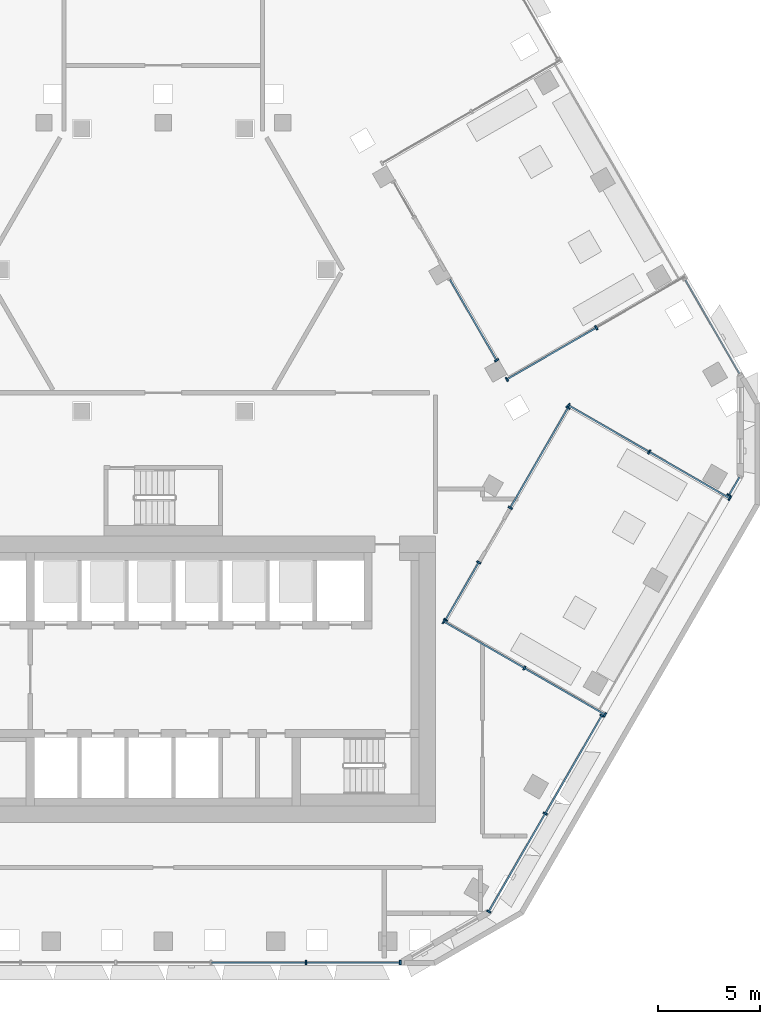
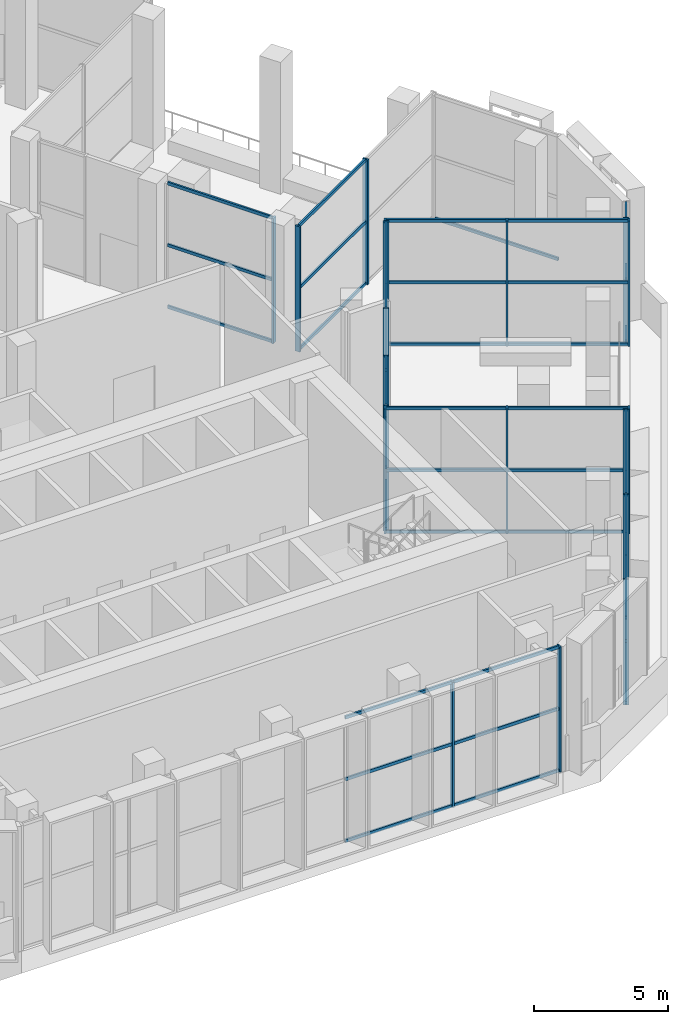
# One storey, part 3 of 27: 59 members, 10 elements without a shape of their own.
"""IFC4 building model written with IfcOpenShell, lengths in metres."""

from ifc_helpers import new_model, si_unit, direction, frame, origin, origin_2d, place, context, subcontext, project, spatial, rectangle, hollow_rectangle, extrude, material, material_profile, profile_set, type_object, element, aggregate, save


model = new_model("IFC4")

# Units and contexts
model_context = context("Model", 3, precision=1e-05, world=origin(), true_north=direction((0.0, 1.0)))
body_context = subcontext(model_context, "Body", "Model", "MODEL_VIEW")
ifc_project = project(units=[si_unit("LENGTHUNIT", "METRE"), si_unit("AREAUNIT", "SQUARE_METRE"), si_unit("VOLUMEUNIT", "CUBIC_METRE"), si_unit("PLANEANGLEUNIT", "RADIAN"), si_unit("MASSUNIT", "GRAM", prefix="KILO")], contexts=[model_context])

# Site, building, storey
site_placement = place(None, origin())
site = spatial("IfcSite", under=ifc_project, at=site_placement, CompositionType="ELEMENT")
building_placement = place(site_placement, origin())
building = spatial("IfcBuilding", under=site, at=building_placement, Name="Beryl Residences", CompositionType="ELEMENT")
storey_placement = place(building_placement, frame((0.0, 0.0, 111.60009765625)))
storey = spatial("IfcBuildingStorey", under=building, at=storey_placement, Name="L34", CompositionType="ELEMENT", Elevation=111.60009765625)

# Curtain wall, members
ifc_material_1 = material(Name="Aluminium and clear glass", Category="aluminium")
curtain_wall_type = type_object("IfcCurtainWallType", Name="CW3 sky garden glazing glazed wall", PredefinedType="NOTDEFINED", material=ifc_material_1)
curtain_wall_1_placement = place(storey_placement, origin())
curtain_wall_1 = element("IfcCurtainWall", 1, at=curtain_wall_1_placement, inside=storey, type_object=curtain_wall_type, Name="CW3 L34 S", PredefinedType="NOTDEFINED")
ifc_material_2 = material(Name="Aluminium", Category="aluminium")
ifc_material_profile_1 = material_profile(ifc_material_2, rectangle(XDim=0.080078125, YDim=0.219970703125, at=origin_2d()))
ifc_profile_set_1 = profile_set([ifc_material_profile_1], Name="Aluminium")
member_type_1 = type_object("IfcMemberType", Name="CW3-M mullion 80 x 220 mm", PredefinedType="MULLION", material=ifc_profile_set_1)
member_1_placement = place(storey_placement, frame((6.97314453125, -25.85009765625, 0.0), z_axis=(0.0, 0.0, 1.0), x_axis=(1.0, 0.0, 0.0)))
member_1 = element("IfcMember", 2, at=member_1_placement, type_object=member_type_1, Name="CW3 mullion 5", PredefinedType="MULLION", context=body_context, shape_type="SweptSolid", body=[
    extrude(rectangle(XDim=0.080078125, YDim=0.219970703125, at=origin_2d()), origin(), (0.0, 0.0, 1.0), 5.699951171875),
])
member_2_placement = place(storey_placement, frame((11.58203125, -25.85009765625, 0.0), z_axis=(0.0, 0.0, 1.0), x_axis=(1.0, 0.0, 0.0)))
member_2 = element("IfcMember", 3, at=member_2_placement, type_object=member_type_1, Name="CW3 mullion 6", PredefinedType="MULLION", context=body_context, shape_type="SweptSolid", body=[
    extrude(rectangle(XDim=0.080078125, YDim=0.219970703125, at=origin_2d()), origin(), (0.0, 0.0, 1.0), 5.699951171875),
])

curtain_wall_2_placement = place(storey_placement, origin())
curtain_wall_2 = element("IfcCurtainWall", 4, at=curtain_wall_2_placement, inside=storey, type_object=curtain_wall_type, Name="CW3 L34 SE", PredefinedType="NOTDEFINED")
member_3_placement = place(storey_placement, frame((15.903076171875, -23.35546875, 0.0), z_axis=(0.0, 0.0, 1.0), x_axis=(0.500020329666, 0.866013666128, 0.0)))
member_3 = element("IfcMember", 5, at=member_3_placement, type_object=member_type_1, Name="CW3 mullion 1", PredefinedType="MULLION", context=body_context, shape_type="SweptSolid", body=[
    extrude(rectangle(XDim=0.080078125, YDim=0.219970703125, at=origin_2d()), origin(), (0.0, 0.0, 1.0), 5.699951171875),
])
member_4_placement = place(storey_placement, frame((18.66796875, -18.56640625, 0.0), z_axis=(0.0, 0.0, 1.0), x_axis=(0.500020329666, 0.866013666128, 0.0)))
member_4 = element("IfcMember", 6, at=member_4_placement, type_object=member_type_1, Name="CW3 mullion 2", PredefinedType="MULLION", context=body_context, shape_type="SweptSolid", body=[
    extrude(rectangle(XDim=0.080078125, YDim=0.219970703125, at=origin_2d()), origin(), (0.0, 0.0, 1.0), 5.699951171875),
])
member_5_placement = place(storey_placement, frame((21.43310546875, -13.777587890625, 0.0), z_axis=(0.0, 0.0, 1.0), x_axis=(0.500020329666, 0.866013666128, 0.0)))
member_5 = element("IfcMember", 7, at=member_5_placement, type_object=member_type_1, Name="CW3 mullion 3", PredefinedType="MULLION", context=body_context, shape_type="SweptSolid", body=[
    extrude(rectangle(XDim=0.080078125, YDim=0.219970703125, at=origin_2d()), origin(), (0.0, 0.0, 1.0), 5.699951171875),
])

# Curtain wall, member
curtain_wall_3_placement = place(storey_placement, origin())
curtain_wall_3 = element("IfcCurtainWall", 8, at=curtain_wall_3_placement, inside=storey, type_object=curtain_wall_type, Name="CW3 L34 SE", PredefinedType="NOTDEFINED")
member_6_placement = place(storey_placement, frame((27.64794921875, -3.012451171875, 0.0), z_axis=(0.0, 0.0, 1.0), x_axis=(0.500102178131, 0.865966403176, 0.0)))
member_6 = element("IfcMember", 9, at=member_6_placement, type_object=member_type_1, Name="CW3 mullion 1", PredefinedType="MULLION", context=body_context, shape_type="SweptSolid", body=[
    extrude(rectangle(XDim=0.080078125, YDim=0.219970703125, at=origin_2d()), origin(), (0.0, 0.0, 1.0), 5.699951171875),
])

curtain_wall_4_placement = place(storey_placement, origin())
curtain_wall_4 = element("IfcCurtainWall", 10, at=curtain_wall_4_placement, inside=storey, type_object=curtain_wall_type, Name="CW3 L34 NE garden back", PredefinedType="NOTDEFINED")
member_7_placement = place(storey_placement, frame((16.2900390625, 3.585693359375, 0.0), z_axis=(0.0, 0.0, 1.0), x_axis=(-0.500142160005, 0.865943312108, 0.0)))
member_7 = element("IfcMember", 11, at=member_7_placement, type_object=member_type_1, Name="CW3 mullion 1", PredefinedType="MULLION", context=body_context, shape_type="SweptSolid", body=[
    extrude(rectangle(XDim=0.080078125, YDim=0.219970703125, at=origin_2d()), origin(), (0.0, 0.0, 1.0), 5.699951171875),
])

# Curtain wall, members
curtain_wall_5_placement = place(storey_placement, origin())
curtain_wall_5 = element("IfcCurtainWall", 12, at=curtain_wall_5_placement, inside=storey, type_object=curtain_wall_type, Name="CW3 L34 NE garden left", PredefinedType="NOTDEFINED")
member_8_placement = place(storey_placement, frame((21.160888671875, 5.173583984375, 0.0), z_axis=(0.0, 0.0, 1.0), x_axis=(-0.866051386658, -0.499954993642, 0.0)))
member_8 = element("IfcMember", 13, at=member_8_placement, type_object=member_type_1, Name="CW3 mullion 2", PredefinedType="MULLION", context=body_context, shape_type="SweptSolid", body=[
    extrude(rectangle(XDim=0.080078125, YDim=0.219970703125, at=origin_2d()), origin(), (0.0, 0.0, 1.0), 5.699951171875),
])
member_9_placement = place(storey_placement, frame((16.78955078125, 2.64990234375, 0.0), z_axis=(0.0, 0.0, 1.0), x_axis=(-0.866051386658, -0.499954993642, 0.0)))
member_9 = element("IfcMember", 14, at=member_9_placement, type_object=member_type_1, Name="CW3 mullion 3", PredefinedType="MULLION", context=body_context, shape_type="SweptSolid", body=[
    extrude(rectangle(XDim=0.080078125, YDim=0.219970703125, at=origin_2d()), origin(), (0.0, 0.0, 1.0), 5.699951171875),
])

curtain_wall_6_placement = place(storey_placement, origin())
curtain_wall_6 = element("IfcCurtainWall", 15, at=curtain_wall_6_placement, inside=storey, type_object=curtain_wall_type, Name="CW3 L34 SE garden back", PredefinedType="NOTDEFINED")
member_10_placement = place(storey_placement, frame((13.796875, -9.103271484375, 0.0), z_axis=(0.0, 0.0, 1.0), x_axis=(0.499826590019, 0.866125498938, 0.0)))
member_10 = element("IfcMember", 16, at=member_10_placement, type_object=member_type_1, Name="CW3 mullion 1", PredefinedType="MULLION", context=body_context, shape_type="SweptSolid", body=[
    extrude(rectangle(XDim=0.080078125, YDim=0.219970703125, at=origin_2d()), origin(), (0.0, 0.0, 1.0), 5.699951171875),
])
member_11_placement = place(storey_placement, frame((15.4189453125, -6.292724609375, 0.0), z_axis=(0.0, 0.0, 1.0), x_axis=(0.499826590019, 0.866125498938, 0.0)))
member_11 = element("IfcMember", 17, at=member_11_placement, type_object=member_type_1, Name="CW3 mullion 2", PredefinedType="MULLION", context=body_context, shape_type="SweptSolid", body=[
    extrude(rectangle(XDim=0.080078125, YDim=0.219970703125, at=origin_2d()), origin(), (0.0, 0.0, 1.0), 5.699951171875),
])

curtain_wall_7_placement = place(storey_placement, origin())
curtain_wall_7 = element("IfcCurtainWall", 18, at=curtain_wall_7_placement, inside=storey, type_object=curtain_wall_type, Name="CW3 L34 SE garden back", PredefinedType="NOTDEFINED")
member_12_placement = place(storey_placement, frame((16.958984375, -3.625244140625, 0.0), z_axis=(0.0, 0.0, 1.0), x_axis=(0.500065152722, 0.865987784575, 0.0)))
member_12 = element("IfcMember", 19, at=member_12_placement, type_object=member_type_1, Name="CW3 mullion 1", PredefinedType="MULLION", context=body_context, shape_type="SweptSolid", body=[
    extrude(rectangle(XDim=0.080078125, YDim=0.219970703125, at=origin_2d()), origin(), (0.0, 0.0, 1.0), 5.699951171875),
])
member_13_placement = place(storey_placement, frame((19.781982421875, 1.263427734375, 0.0), z_axis=(0.0, 0.0, 1.0), x_axis=(0.500065152722, 0.865987784575, 0.0)))
member_13 = element("IfcMember", 20, at=member_13_placement, type_object=member_type_1, Name="CW3 mullion 2", PredefinedType="MULLION", context=body_context, shape_type="SweptSolid", body=[
    extrude(rectangle(XDim=0.080078125, YDim=0.219970703125, at=origin_2d()), origin(), (0.0, 0.0, 1.0), 5.699951171875),
])

curtain_wall_8_placement = place(storey_placement, origin())
curtain_wall_8 = element("IfcCurtainWall", 21, at=curtain_wall_8_placement, inside=storey, type_object=curtain_wall_type, Name="CW3 L34 SE garden left", PredefinedType="NOTDEFINED")
member_14_placement = place(storey_placement, frame((21.58544921875, -13.73291015625, 0.0), z_axis=(0.0, 0.0, 1.0), x_axis=(-0.866007717298, 0.500030632642, 0.0)))
member_14 = element("IfcMember", 22, at=member_14_placement, type_object=member_type_1, Name="CW3 mullion 1", PredefinedType="MULLION", context=body_context, shape_type="SweptSolid", body=[
    extrude(rectangle(XDim=0.080078125, YDim=0.219970703125, at=origin_2d()), origin(), (0.0, 0.0, 1.0), 5.699951171875),
])
member_15_placement = place(storey_placement, frame((17.64697265625, -11.458984375, 0.0), z_axis=(0.0, 0.0, 1.0), x_axis=(-0.866007717298, 0.500030632642, 0.0)))
member_15 = element("IfcMember", 23, at=member_15_placement, type_object=member_type_1, Name="CW3 mullion 2", PredefinedType="MULLION", context=body_context, shape_type="SweptSolid", body=[
    extrude(rectangle(XDim=0.080078125, YDim=0.219970703125, at=origin_2d()), origin(), (0.0, 0.0, 1.0), 5.699951171875),
])
member_16_placement = place(storey_placement, frame((13.708740234375, -9.18505859375, 0.0), z_axis=(0.0, 0.0, 1.0), x_axis=(-0.866007717298, 0.500030632642, 0.0)))
member_16 = element("IfcMember", 24, at=member_16_placement, type_object=member_type_1, Name="CW3 mullion 3", PredefinedType="MULLION", context=body_context, shape_type="SweptSolid", body=[
    extrude(rectangle(XDim=0.080078125, YDim=0.219970703125, at=origin_2d()), origin(), (0.0, 0.0, 1.0), 5.699951171875),
])

curtain_wall_9_placement = place(storey_placement, origin())
curtain_wall_9 = element("IfcCurtainWall", 25, at=curtain_wall_9_placement, inside=storey, type_object=curtain_wall_type, Name="CW3 L34 SE garden right", PredefinedType="NOTDEFINED")
member_17_placement = place(storey_placement, frame((27.685302734375, -3.1669921875, 0.0), z_axis=(0.0, 0.0, 1.0), x_axis=(-0.866054910532, 0.499948889332, 0.0)))
member_17 = element("IfcMember", 26, at=member_17_placement, type_object=member_type_1, Name="CW3 mullion 1", PredefinedType="MULLION", context=body_context, shape_type="SweptSolid", body=[
    extrude(rectangle(XDim=0.080078125, YDim=0.219970703125, at=origin_2d()), origin(), (0.0, 0.0, 1.0), 5.699951171875),
])
member_18_placement = place(storey_placement, frame((23.7470703125, -0.8935546875, 0.0), z_axis=(0.0, 0.0, 1.0), x_axis=(-0.866054910532, 0.499948889332, 0.0)))
member_18 = element("IfcMember", 27, at=member_18_placement, type_object=member_type_1, Name="CW3 mullion 2", PredefinedType="MULLION", context=body_context, shape_type="SweptSolid", body=[
    extrude(rectangle(XDim=0.080078125, YDim=0.219970703125, at=origin_2d()), origin(), (0.0, 0.0, 1.0), 5.699951171875),
])
member_19_placement = place(storey_placement, frame((19.80859375, 1.3798828125, 0.0), z_axis=(0.0, 0.0, 1.0), x_axis=(-0.866054910532, 0.499948889332, 0.0)))
member_19 = element("IfcMember", 28, at=member_19_placement, type_object=member_type_1, Name="CW3 mullion 3", PredefinedType="MULLION", context=body_context, shape_type="SweptSolid", body=[
    extrude(rectangle(XDim=0.080078125, YDim=0.219970703125, at=origin_2d()), origin(), (0.0, 0.0, 1.0), 5.699951171875),
])

# Member
ifc_material_3 = material(Name="Aluminium", Category="aluminium")
ifc_material_profile_2 = material_profile(ifc_material_3, hollow_rectangle(XDim=0.080078125, YDim=0.139892578125, WallThickness=0.00390625, at=origin_2d()))
ifc_profile_set_2 = profile_set([ifc_material_profile_2], Name="Aluminium")
member_type_2 = type_object("IfcMemberType", Name="CW3-T transom 80 x 140 mm", PredefinedType="USERDEFINED", material=ifc_profile_set_2)
member_20_placement = place(storey_placement, frame((2.364501953125, -25.85009765625, 0.039794921875), z_axis=(1.0, 0.0, 0.0), x_axis=(0.0, 1.0, 0.0)))
member_20 = element("IfcMember", 29, at=member_20_placement, type_object=member_type_2, Name="CW3 transom 4.1", ObjectType="TRANSOM", PredefinedType="USERDEFINED", context=body_context, shape_type="SweptSolid", body=[
    extrude(hollow_rectangle(XDim=0.080078125, YDim=0.139892578125, WallThickness=0.00390625, at=origin_2d()), origin(), (0.0, 0.0, 1.0), 4.568603515625),
])

member_21_placement = place(storey_placement, frame((2.364501953125, -25.85009765625, 2.849853515625), z_axis=(1.0, 0.0, 0.0), x_axis=(0.0, 1.0, 0.0)))
member_21 = element("IfcMember", 30, at=member_21_placement, type_object=member_type_2, Name="CW3 transom 4.2", ObjectType="TRANSOM", PredefinedType="USERDEFINED", context=body_context, shape_type="SweptSolid", body=[
    extrude(hollow_rectangle(XDim=0.080078125, YDim=0.139892578125, WallThickness=0.00390625, at=origin_2d()), origin(), (0.0, 0.0, 1.0), 4.568603515625),
])

member_22_placement = place(storey_placement, frame((2.364501953125, -25.85009765625, 5.659912109375), z_axis=(1.0, 0.0, 0.0), x_axis=(0.0, 1.0, 0.0)))
member_22 = element("IfcMember", 31, at=member_22_placement, type_object=member_type_2, Name="CW3 transom 4.3", ObjectType="TRANSOM", PredefinedType="USERDEFINED", context=body_context, shape_type="SweptSolid", body=[
    extrude(hollow_rectangle(XDim=0.080078125, YDim=0.139892578125, WallThickness=0.00390625, at=origin_2d()), origin(), (0.0, 0.0, 1.0), 4.568603515625),
])

member_23_placement = place(storey_placement, frame((7.01318359375, -25.85009765625, 0.039794921875), z_axis=(1.0, 0.0, 0.0), x_axis=(0.0, 1.0, 0.0)))
member_23 = element("IfcMember", 32, at=member_23_placement, type_object=member_type_2, Name="CW3 transom 5.1", ObjectType="TRANSOM", PredefinedType="USERDEFINED", context=body_context, shape_type="SweptSolid", body=[
    extrude(hollow_rectangle(XDim=0.080078125, YDim=0.139892578125, WallThickness=0.00390625, at=origin_2d()), origin(), (0.0, 0.0, 1.0), 4.52880859375),
])

member_24_placement = place(storey_placement, frame((7.01318359375, -25.85009765625, 2.849853515625), z_axis=(1.0, 0.0, 0.0), x_axis=(0.0, 1.0, 0.0)))
member_24 = element("IfcMember", 33, at=member_24_placement, type_object=member_type_2, Name="CW3 transom 5.2", ObjectType="TRANSOM", PredefinedType="USERDEFINED", context=body_context, shape_type="SweptSolid", body=[
    extrude(hollow_rectangle(XDim=0.080078125, YDim=0.139892578125, WallThickness=0.00390625, at=origin_2d()), origin(), (0.0, 0.0, 1.0), 4.52880859375),
])

member_25_placement = place(storey_placement, frame((7.01318359375, -25.85009765625, 5.659912109375), z_axis=(1.0, 0.0, 0.0), x_axis=(0.0, 1.0, 0.0)))
member_25 = element("IfcMember", 34, at=member_25_placement, type_object=member_type_2, Name="CW3 transom 5.3", ObjectType="TRANSOM", PredefinedType="USERDEFINED", context=body_context, shape_type="SweptSolid", body=[
    extrude(hollow_rectangle(XDim=0.080078125, YDim=0.139892578125, WallThickness=0.00390625, at=origin_2d()), origin(), (0.0, 0.0, 1.0), 4.52880859375),
])

aggregate(curtain_wall_1, [member_1, member_2, member_20, member_21, member_22, member_23, member_24, member_25])

member_26_placement = place(storey_placement, frame((15.923095703125, -23.32080078125, 0.039794921875), z_axis=(0.499988730927, 0.866031909889, 0.0), x_axis=(-0.866031909889, 0.499988730927, 0.0)))
member_26 = element("IfcMember", 35, at=member_26_placement, type_object=member_type_2, Name="CW3 transom 1.1", ObjectType="TRANSOM", PredefinedType="USERDEFINED", context=body_context, shape_type="SweptSolid", body=[
    extrude(hollow_rectangle(XDim=0.080078125, YDim=0.139892578125, WallThickness=0.00390625, at=origin_2d()), origin(), (0.0, 0.0, 1.0), 5.449951171875),
])

member_27_placement = place(storey_placement, frame((15.923095703125, -23.32080078125, 2.849853515625), z_axis=(0.499988730927, 0.866031909889, 0.0), x_axis=(-0.866031909889, 0.499988730927, 0.0)))
member_27 = element("IfcMember", 36, at=member_27_placement, type_object=member_type_2, Name="CW3 transom 1.2", ObjectType="TRANSOM", PredefinedType="USERDEFINED", context=body_context, shape_type="SweptSolid", body=[
    extrude(hollow_rectangle(XDim=0.080078125, YDim=0.139892578125, WallThickness=0.00390625, at=origin_2d()), origin(), (0.0, 0.0, 1.0), 5.449951171875),
])

member_28_placement = place(storey_placement, frame((15.923095703125, -23.32080078125, 5.659912109375), z_axis=(0.499988730927, 0.866031909889, 0.0), x_axis=(-0.866031909889, 0.499988730927, 0.0)))
member_28 = element("IfcMember", 37, at=member_28_placement, type_object=member_type_2, Name="CW3 transom 1.3", ObjectType="TRANSOM", PredefinedType="USERDEFINED", context=body_context, shape_type="SweptSolid", body=[
    extrude(hollow_rectangle(XDim=0.080078125, YDim=0.139892578125, WallThickness=0.00390625, at=origin_2d()), origin(), (0.0, 0.0, 1.0), 5.449951171875),
])

member_29_placement = place(storey_placement, frame((18.68798828125, -18.53173828125, 0.039794921875), z_axis=(0.500041727491, 0.866001311066, 0.0), x_axis=(-0.866001311066, 0.500041727491, 0.0)))
member_29 = element("IfcMember", 38, at=member_29_placement, type_object=member_type_2, Name="CW3 transom 2.1", ObjectType="TRANSOM", PredefinedType="USERDEFINED", context=body_context, shape_type="SweptSolid", body=[
    extrude(hollow_rectangle(XDim=0.080078125, YDim=0.139892578125, WallThickness=0.00390625, at=origin_2d()), origin(), (0.0, 0.0, 1.0), 5.44970703125),
])

member_30_placement = place(storey_placement, frame((18.68798828125, -18.53173828125, 2.849853515625), z_axis=(0.500041727491, 0.866001311066, 0.0), x_axis=(-0.866001311066, 0.500041727491, 0.0)))
member_30 = element("IfcMember", 39, at=member_30_placement, type_object=member_type_2, Name="CW3 transom 2.2", ObjectType="TRANSOM", PredefinedType="USERDEFINED", context=body_context, shape_type="SweptSolid", body=[
    extrude(hollow_rectangle(XDim=0.080078125, YDim=0.139892578125, WallThickness=0.00390625, at=origin_2d()), origin(), (0.0, 0.0, 1.0), 5.44970703125),
])

member_31_placement = place(storey_placement, frame((18.68798828125, -18.53173828125, 5.659912109375), z_axis=(0.500041727491, 0.866001311066, 0.0), x_axis=(-0.866001311066, 0.500041727491, 0.0)))
member_31 = element("IfcMember", 40, at=member_31_placement, type_object=member_type_2, Name="CW3 transom 2.3", ObjectType="TRANSOM", PredefinedType="USERDEFINED", context=body_context, shape_type="SweptSolid", body=[
    extrude(hollow_rectangle(XDim=0.080078125, YDim=0.139892578125, WallThickness=0.00390625, at=origin_2d()), origin(), (0.0, 0.0, 1.0), 5.44970703125),
])

aggregate(curtain_wall_2, [member_3, member_4, member_5, member_26, member_27, member_28, member_29, member_30, member_31])

member_32_placement = place(storey_placement, frame((27.66796875, -2.977783203125, 0.039794921875), z_axis=(0.500132281504, 0.865949017551, 0.0), x_axis=(-0.865949017551, 0.500132281504, 0.0)))
member_32 = element("IfcMember", 41, at=member_32_placement, type_object=member_type_2, Name="CW3 transom 1.1", ObjectType="TRANSOM", PredefinedType="USERDEFINED", context=body_context, shape_type="SweptSolid", body=[
    extrude(hollow_rectangle(XDim=0.080078125, YDim=0.139892578125, WallThickness=0.00390625, at=origin_2d()), origin(), (0.0, 0.0, 1.0), 0.979736328125),
])

member_33_placement = place(storey_placement, frame((27.66796875, -2.977783203125, 2.849853515625), z_axis=(0.500132281504, 0.865949017551, 0.0), x_axis=(-0.865949017551, 0.500132281504, 0.0)))
member_33 = element("IfcMember", 42, at=member_33_placement, type_object=member_type_2, Name="CW3 transom 1.2", ObjectType="TRANSOM", PredefinedType="USERDEFINED", context=body_context, shape_type="SweptSolid", body=[
    extrude(hollow_rectangle(XDim=0.080078125, YDim=0.139892578125, WallThickness=0.00390625, at=origin_2d()), origin(), (0.0, 0.0, 1.0), 0.979736328125),
])

member_34_placement = place(storey_placement, frame((27.66796875, -2.977783203125, 5.659912109375), z_axis=(0.500132281504, 0.865949017551, 0.0), x_axis=(-0.865949017551, 0.500132281504, 0.0)))
member_34 = element("IfcMember", 43, at=member_34_placement, type_object=member_type_2, Name="CW3 transom 1.3", ObjectType="TRANSOM", PredefinedType="USERDEFINED", context=body_context, shape_type="SweptSolid", body=[
    extrude(hollow_rectangle(XDim=0.080078125, YDim=0.139892578125, WallThickness=0.00390625, at=origin_2d()), origin(), (0.0, 0.0, 1.0), 0.979736328125),
])

aggregate(curtain_wall_3, [member_6, member_32, member_33, member_34])

# Curtain wall, member
curtain_wall_10_placement = place(storey_placement, origin())
curtain_wall_10 = element("IfcCurtainWall", 44, at=curtain_wall_10_placement, inside=storey, type_object=curtain_wall_type, Name="CW3 L34 NE", PredefinedType="NOTDEFINED")
member_35_placement = place(storey_placement, frame((28.157958984375, 2.92919921875, 0.039794921875), z_axis=(-0.4999436497, 0.866057935201, 0.0), x_axis=(-0.866057935201, -0.4999436497, 0.0)))
member_35 = element("IfcMember", 45, at=member_35_placement, type_object=member_type_2, Name="CW3 transom 1.1", ObjectType="TRANSOM", PredefinedType="USERDEFINED", context=body_context, shape_type="SweptSolid", body=[
    extrude(hollow_rectangle(XDim=0.080078125, YDim=0.139892578125, WallThickness=0.00390625, at=origin_2d()), origin(), (0.0, 0.0, 1.0), 5.28662109375),
])
aggregate(curtain_wall_10, [member_35])

# Member
member_36_placement = place(storey_placement, frame((16.27001953125, 3.620361328125, 0.039794921875), z_axis=(-0.500157766878, 0.865934297872, 0.0), x_axis=(-0.865934297872, -0.500157766878, 0.0)))
member_36 = element("IfcMember", 46, at=member_36_placement, type_object=member_type_2, Name="CW3 transom 1.1", ObjectType="TRANSOM", PredefinedType="USERDEFINED", context=body_context, shape_type="SweptSolid", body=[
    extrude(hollow_rectangle(XDim=0.080078125, YDim=0.139892578125, WallThickness=0.00390625, at=origin_2d()), origin(), (0.0, 0.0, 1.0), 4.5146484375),
])

member_37_placement = place(storey_placement, frame((16.27001953125, 3.620361328125, 2.849853515625), z_axis=(-0.500157766878, 0.865934297872, 0.0), x_axis=(-0.865934297872, -0.500157766878, 0.0)))
member_37 = element("IfcMember", 47, at=member_37_placement, type_object=member_type_2, Name="CW3 transom 1.2", ObjectType="TRANSOM", PredefinedType="USERDEFINED", context=body_context, shape_type="SweptSolid", body=[
    extrude(hollow_rectangle(XDim=0.080078125, YDim=0.139892578125, WallThickness=0.00390625, at=origin_2d()), origin(), (0.0, 0.0, 1.0), 4.5146484375),
])

member_38_placement = place(storey_placement, frame((16.27001953125, 3.620361328125, 5.659912109375), z_axis=(-0.500157766878, 0.865934297872, 0.0), x_axis=(-0.865934297872, -0.500157766878, 0.0)))
member_38 = element("IfcMember", 48, at=member_38_placement, type_object=member_type_2, Name="CW3 transom 1.3", ObjectType="TRANSOM", PredefinedType="USERDEFINED", context=body_context, shape_type="SweptSolid", body=[
    extrude(hollow_rectangle(XDim=0.080078125, YDim=0.139892578125, WallThickness=0.00390625, at=origin_2d()), origin(), (0.0, 0.0, 1.0), 4.5146484375),
])

aggregate(curtain_wall_4, [member_7, member_36, member_37, member_38])

member_39_placement = place(storey_placement, frame((21.12646484375, 5.153564453125, 0.039794921875), z_axis=(-0.86604809764, -0.499960691028, 0.0), x_axis=(0.499960691028, -0.86604809764, 0.0)))
member_39 = element("IfcMember", 49, at=member_39_placement, type_object=member_type_2, Name="CW3 transom 2.1", ObjectType="TRANSOM", PredefinedType="USERDEFINED", context=body_context, shape_type="SweptSolid", body=[
    extrude(hollow_rectangle(XDim=0.080078125, YDim=0.139892578125, WallThickness=0.00390625, at=origin_2d()), origin(), (0.0, 0.0, 1.0), 4.9677734375),
])

member_40_placement = place(storey_placement, frame((21.12646484375, 5.153564453125, 2.849853515625), z_axis=(-0.86604809764, -0.499960691028, 0.0), x_axis=(0.499960691028, -0.86604809764, 0.0)))
member_40 = element("IfcMember", 50, at=member_40_placement, type_object=member_type_2, Name="CW3 transom 2.2", ObjectType="TRANSOM", PredefinedType="USERDEFINED", context=body_context, shape_type="SweptSolid", body=[
    extrude(hollow_rectangle(XDim=0.080078125, YDim=0.139892578125, WallThickness=0.00390625, at=origin_2d()), origin(), (0.0, 0.0, 1.0), 4.9677734375),
])

member_41_placement = place(storey_placement, frame((21.12646484375, 5.153564453125, 5.659912109375), z_axis=(-0.86604809764, -0.499960691028, 0.0), x_axis=(0.499960691028, -0.86604809764, 0.0)))
member_41 = element("IfcMember", 51, at=member_41_placement, type_object=member_type_2, Name="CW3 transom 2.3", ObjectType="TRANSOM", PredefinedType="USERDEFINED", context=body_context, shape_type="SweptSolid", body=[
    extrude(hollow_rectangle(XDim=0.080078125, YDim=0.139892578125, WallThickness=0.00390625, at=origin_2d()), origin(), (0.0, 0.0, 1.0), 4.9677734375),
])

aggregate(curtain_wall_5, [member_8, member_9, member_39, member_40, member_41])

member_42_placement = place(storey_placement, frame((13.81689453125, -9.068603515625, 0.039794921875), z_axis=(0.49985600549, 0.866108523094, 0.0), x_axis=(-0.866108523094, 0.49985600549, 0.0)))
member_42 = element("IfcMember", 52, at=member_42_placement, type_object=member_type_2, Name="CW3 transom 1.1", ObjectType="TRANSOM", PredefinedType="USERDEFINED", context=body_context, shape_type="SweptSolid", body=[
    extrude(hollow_rectangle(XDim=0.080078125, YDim=0.139892578125, WallThickness=0.00390625, at=origin_2d()), origin(), (0.0, 0.0, 1.0), 3.1650390625),
])

member_43_placement = place(storey_placement, frame((13.81689453125, -9.068603515625, 2.849853515625), z_axis=(0.49985600549, 0.866108523094, 0.0), x_axis=(-0.866108523094, 0.49985600549, 0.0)))
member_43 = element("IfcMember", 53, at=member_43_placement, type_object=member_type_2, Name="CW3 transom 1.2", ObjectType="TRANSOM", PredefinedType="USERDEFINED", context=body_context, shape_type="SweptSolid", body=[
    extrude(hollow_rectangle(XDim=0.080078125, YDim=0.139892578125, WallThickness=0.00390625, at=origin_2d()), origin(), (0.0, 0.0, 1.0), 3.1650390625),
])

member_44_placement = place(storey_placement, frame((13.81689453125, -9.068603515625, 5.659912109375), z_axis=(0.49985600549, 0.866108523094, 0.0), x_axis=(-0.866108523094, 0.49985600549, 0.0)))
member_44 = element("IfcMember", 54, at=member_44_placement, type_object=member_type_2, Name="CW3 transom 1.3", ObjectType="TRANSOM", PredefinedType="USERDEFINED", context=body_context, shape_type="SweptSolid", body=[
    extrude(hollow_rectangle(XDim=0.080078125, YDim=0.139892578125, WallThickness=0.00390625, at=origin_2d()), origin(), (0.0, 0.0, 1.0), 3.1650390625),
])

aggregate(curtain_wall_6, [member_10, member_11, member_42, member_43, member_44])

member_45_placement = place(storey_placement, frame((16.97900390625, -3.5908203125, 0.039794921875), z_axis=(0.500050282832, 0.865996371031, 0.0), x_axis=(-0.865996371031, 0.500050282832, 0.0)))
member_45 = element("IfcMember", 55, at=member_45_placement, type_object=member_type_2, Name="CW3 transom 1.1", ObjectType="TRANSOM", PredefinedType="USERDEFINED", context=body_context, shape_type="SweptSolid", body=[
    extrude(hollow_rectangle(XDim=0.080078125, YDim=0.139892578125, WallThickness=0.00390625, at=origin_2d()), origin(), (0.0, 0.0, 1.0), 5.5654296875),
])

member_46_placement = place(storey_placement, frame((16.97900390625, -3.5908203125, 2.849853515625), z_axis=(0.500050282832, 0.865996371031, 0.0), x_axis=(-0.865996371031, 0.500050282832, 0.0)))
member_46 = element("IfcMember", 56, at=member_46_placement, type_object=member_type_2, Name="CW3 transom 1.2", ObjectType="TRANSOM", PredefinedType="USERDEFINED", context=body_context, shape_type="SweptSolid", body=[
    extrude(hollow_rectangle(XDim=0.080078125, YDim=0.139892578125, WallThickness=0.00390625, at=origin_2d()), origin(), (0.0, 0.0, 1.0), 5.5654296875),
])

member_47_placement = place(storey_placement, frame((16.97900390625, -3.5908203125, 5.659912109375), z_axis=(0.500050282832, 0.865996371031, 0.0), x_axis=(-0.865996371031, 0.500050282832, 0.0)))
member_47 = element("IfcMember", 57, at=member_47_placement, type_object=member_type_2, Name="CW3 transom 1.3", ObjectType="TRANSOM", PredefinedType="USERDEFINED", context=body_context, shape_type="SweptSolid", body=[
    extrude(hollow_rectangle(XDim=0.080078125, YDim=0.139892578125, WallThickness=0.00390625, at=origin_2d()), origin(), (0.0, 0.0, 1.0), 5.5654296875),
])

aggregate(curtain_wall_7, [member_12, member_13, member_45, member_46, member_47])

member_48_placement = place(storey_placement, frame((21.55078125, -13.712890625, 0.039794921875), z_axis=(-0.866021785011, 0.500006267848, 0.0), x_axis=(-0.500006267848, -0.866021785011, 0.0)))
member_48 = element("IfcMember", 58, at=member_48_placement, type_object=member_type_2, Name="CW3 transom 1.1", ObjectType="TRANSOM", PredefinedType="USERDEFINED", context=body_context, shape_type="SweptSolid", body=[
    extrude(hollow_rectangle(XDim=0.080078125, YDim=0.139892578125, WallThickness=0.00390625, at=origin_2d()), origin(), (0.0, 0.0, 1.0), 4.4677734375),
])

member_49_placement = place(storey_placement, frame((21.55078125, -13.712890625, 2.849853515625), z_axis=(-0.866021785011, 0.500006267848, 0.0), x_axis=(-0.500006267848, -0.866021785011, 0.0)))
member_49 = element("IfcMember", 59, at=member_49_placement, type_object=member_type_2, Name="CW3 transom 1.2", ObjectType="TRANSOM", PredefinedType="USERDEFINED", context=body_context, shape_type="SweptSolid", body=[
    extrude(hollow_rectangle(XDim=0.080078125, YDim=0.139892578125, WallThickness=0.00390625, at=origin_2d()), origin(), (0.0, 0.0, 1.0), 4.4677734375),
])

member_50_placement = place(storey_placement, frame((21.55078125, -13.712890625, 5.659912109375), z_axis=(-0.866021785011, 0.500006267848, 0.0), x_axis=(-0.500006267848, -0.866021785011, 0.0)))
member_50 = element("IfcMember", 60, at=member_50_placement, type_object=member_type_2, Name="CW3 transom 1.3", ObjectType="TRANSOM", PredefinedType="USERDEFINED", context=body_context, shape_type="SweptSolid", body=[
    extrude(hollow_rectangle(XDim=0.080078125, YDim=0.139892578125, WallThickness=0.00390625, at=origin_2d()), origin(), (0.0, 0.0, 1.0), 4.4677734375),
])

member_51_placement = place(storey_placement, frame((17.6123046875, -11.43896484375, 0.039794921875), z_axis=(-0.866021785011, 0.500006267848, 0.0), x_axis=(-0.500006267848, -0.866021785011, 0.0)))
member_51 = element("IfcMember", 61, at=member_51_placement, type_object=member_type_2, Name="CW3 transom 2.1", ObjectType="TRANSOM", PredefinedType="USERDEFINED", context=body_context, shape_type="SweptSolid", body=[
    extrude(hollow_rectangle(XDim=0.080078125, YDim=0.139892578125, WallThickness=0.00390625, at=origin_2d()), origin(), (0.0, 0.0, 1.0), 4.4677734375),
])

member_52_placement = place(storey_placement, frame((17.6123046875, -11.43896484375, 2.849853515625), z_axis=(-0.866021785011, 0.500006267848, 0.0), x_axis=(-0.500006267848, -0.866021785011, 0.0)))
member_52 = element("IfcMember", 62, at=member_52_placement, type_object=member_type_2, Name="CW3 transom 2.2", ObjectType="TRANSOM", PredefinedType="USERDEFINED", context=body_context, shape_type="SweptSolid", body=[
    extrude(hollow_rectangle(XDim=0.080078125, YDim=0.139892578125, WallThickness=0.00390625, at=origin_2d()), origin(), (0.0, 0.0, 1.0), 4.4677734375),
])

member_53_placement = place(storey_placement, frame((17.6123046875, -11.43896484375, 5.659912109375), z_axis=(-0.866021785011, 0.500006267848, 0.0), x_axis=(-0.500006267848, -0.866021785011, 0.0)))
member_53 = element("IfcMember", 63, at=member_53_placement, type_object=member_type_2, Name="CW3 transom 2.3", ObjectType="TRANSOM", PredefinedType="USERDEFINED", context=body_context, shape_type="SweptSolid", body=[
    extrude(hollow_rectangle(XDim=0.080078125, YDim=0.139892578125, WallThickness=0.00390625, at=origin_2d()), origin(), (0.0, 0.0, 1.0), 4.4677734375),
])

aggregate(curtain_wall_8, [member_14, member_15, member_16, member_48, member_49, member_50, member_51, member_52, member_53])

member_54_placement = place(storey_placement, frame((27.650634765625, -3.14697265625, 0.039794921875), z_axis=(-0.866055449546, 0.499947955603, 0.0), x_axis=(-0.499947955603, -0.866055449546, 0.0)))
member_54 = element("IfcMember", 64, at=member_54_placement, type_object=member_type_2, Name="CW3 transom 1.1", ObjectType="TRANSOM", PredefinedType="USERDEFINED", context=body_context, shape_type="SweptSolid", body=[
    extrude(hollow_rectangle(XDim=0.080078125, YDim=0.139892578125, WallThickness=0.00390625, at=origin_2d()), origin(), (0.0, 0.0, 1.0), 4.46728515625),
])

member_55_placement = place(storey_placement, frame((27.650634765625, -3.14697265625, 2.849853515625), z_axis=(-0.866055449546, 0.499947955603, 0.0), x_axis=(-0.499947955603, -0.866055449546, 0.0)))
member_55 = element("IfcMember", 65, at=member_55_placement, type_object=member_type_2, Name="CW3 transom 1.2", ObjectType="TRANSOM", PredefinedType="USERDEFINED", context=body_context, shape_type="SweptSolid", body=[
    extrude(hollow_rectangle(XDim=0.080078125, YDim=0.139892578125, WallThickness=0.00390625, at=origin_2d()), origin(), (0.0, 0.0, 1.0), 4.46728515625),
])

member_56_placement = place(storey_placement, frame((27.650634765625, -3.14697265625, 5.659912109375), z_axis=(-0.866055449546, 0.499947955603, 0.0), x_axis=(-0.499947955603, -0.866055449546, 0.0)))
member_56 = element("IfcMember", 66, at=member_56_placement, type_object=member_type_2, Name="CW3 transom 1.3", ObjectType="TRANSOM", PredefinedType="USERDEFINED", context=body_context, shape_type="SweptSolid", body=[
    extrude(hollow_rectangle(XDim=0.080078125, YDim=0.139892578125, WallThickness=0.00390625, at=origin_2d()), origin(), (0.0, 0.0, 1.0), 4.46728515625),
])

member_57_placement = place(storey_placement, frame((23.71240234375, -0.87353515625, 0.039794921875), z_axis=(-0.866045447078, 0.49996528239, 0.0), x_axis=(-0.49996528239, -0.866045447078, 0.0)))
member_57 = element("IfcMember", 67, at=member_57_placement, type_object=member_type_2, Name="CW3 transom 2.1", ObjectType="TRANSOM", PredefinedType="USERDEFINED", context=body_context, shape_type="SweptSolid", body=[
    extrude(hollow_rectangle(XDim=0.080078125, YDim=0.139892578125, WallThickness=0.00390625, at=origin_2d()), origin(), (0.0, 0.0, 1.0), 4.467529296875),
])

member_58_placement = place(storey_placement, frame((23.71240234375, -0.87353515625, 2.849853515625), z_axis=(-0.866045447078, 0.49996528239, 0.0), x_axis=(-0.49996528239, -0.866045447078, 0.0)))
member_58 = element("IfcMember", 68, at=member_58_placement, type_object=member_type_2, Name="CW3 transom 2.2", ObjectType="TRANSOM", PredefinedType="USERDEFINED", context=body_context, shape_type="SweptSolid", body=[
    extrude(hollow_rectangle(XDim=0.080078125, YDim=0.139892578125, WallThickness=0.00390625, at=origin_2d()), origin(), (0.0, 0.0, 1.0), 4.467529296875),
])

member_59_placement = place(storey_placement, frame((23.71240234375, -0.87353515625, 5.659912109375), z_axis=(-0.866045447078, 0.49996528239, 0.0), x_axis=(-0.49996528239, -0.866045447078, 0.0)))
member_59 = element("IfcMember", 69, at=member_59_placement, type_object=member_type_2, Name="CW3 transom 2.3", ObjectType="TRANSOM", PredefinedType="USERDEFINED", context=body_context, shape_type="SweptSolid", body=[
    extrude(hollow_rectangle(XDim=0.080078125, YDim=0.139892578125, WallThickness=0.00390625, at=origin_2d()), origin(), (0.0, 0.0, 1.0), 4.467529296875),
])

aggregate(curtain_wall_9, [member_17, member_18, member_19, member_54, member_55, member_56, member_57, member_58, member_59])

save(model, "model.ifc")
